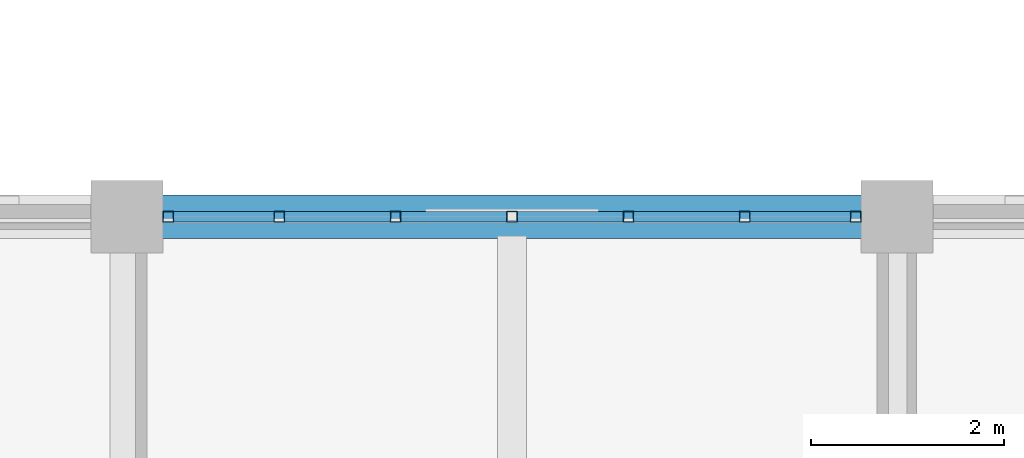
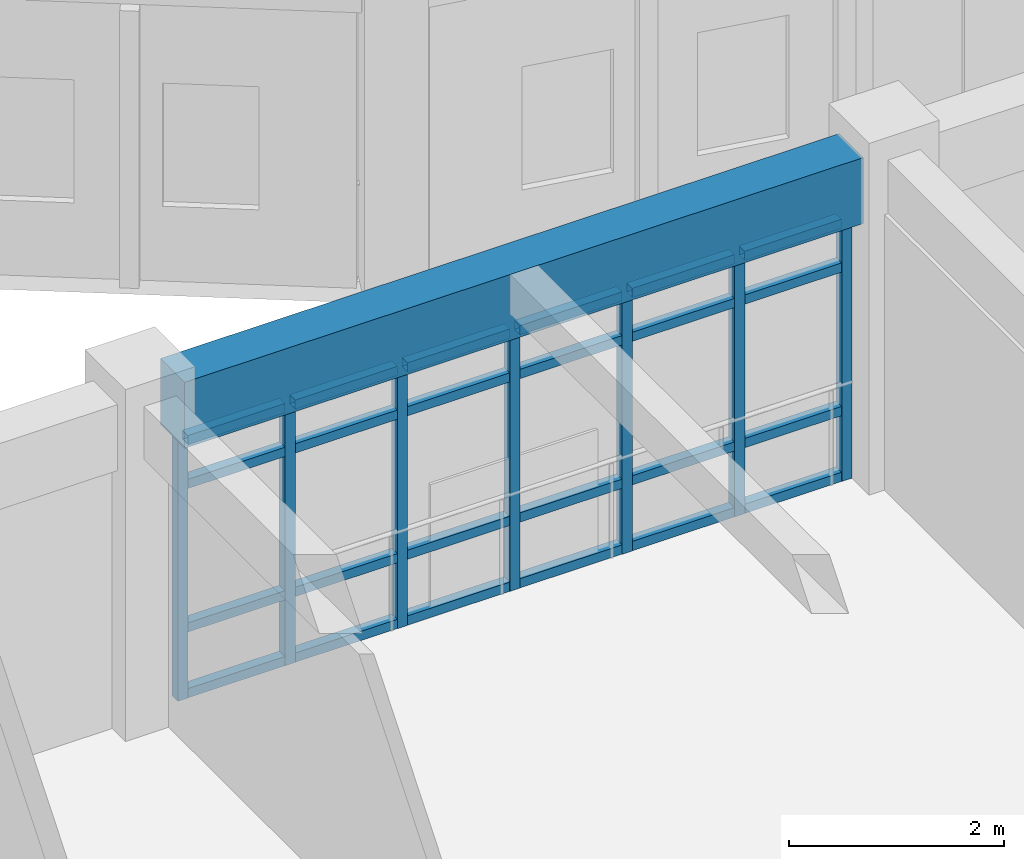
# One storey, part 49 of 159: 31 members, 1 beam, 1 element without a shape of its own.
"""IFC4 building model written with IfcOpenShell, lengths in metres."""

from ifc_helpers import new_model, si_unit, direction, frame, origin, origin_2d, place, context, subcontext, project, spatial, rectangle, hollow_rectangle, extrude, material, material_profile, profile_set, type_object, element, aggregate, save


model = new_model("IFC4")

# Units and contexts
model_context = context("Model", 3, precision=1e-05, world=origin(), true_north=direction((0.0, 1.0)))
body_context = subcontext(model_context, "Body", "Model", "MODEL_VIEW")
ifc_project = project(units=[si_unit("LENGTHUNIT", "METRE"), si_unit("AREAUNIT", "SQUARE_METRE"), si_unit("VOLUMEUNIT", "CUBIC_METRE"), si_unit("PLANEANGLEUNIT", "RADIAN"), si_unit("MASSUNIT", "GRAM", prefix="KILO")], contexts=[model_context])

# Site, building, storey
site_placement = place(None, origin())
site = spatial("IfcSite", under=ifc_project, at=site_placement, CompositionType="ELEMENT")
building_placement = place(site_placement, origin())
building = spatial("IfcBuilding", under=site, at=building_placement, Name="Celadon Cloister-Ring School", CompositionType="ELEMENT")
storey_placement = place(building_placement, frame((0.0, 0.0, 4.5)))
storey = spatial("IfcBuildingStorey", under=building, at=storey_placement, Name="L01", CompositionType="ELEMENT", Elevation=4.5)

# Curtain wall, members
ifc_material_1 = material(Name="Aluminium EN AW-6063 T6", Category="aluminium")
curtain_wall_type = type_object("IfcCurtainWallType", Name="CW-14", PredefinedType="USERDEFINED", material=ifc_material_1)
curtain_wall_placement = place(storey_placement, origin())
curtain_wall = element("IfcCurtainWall", 1, at=curtain_wall_placement, inside=storey, type_object=curtain_wall_type, Name="Curtain Wall 0195", ObjectType="CURTAIN WALL", PredefinedType="USERDEFINED")
ifc_material_2 = material(Name="Aluminium EN AW-6063 T6", Category="aluminium")
ifc_material_profile_1 = material_profile(ifc_material_2, hollow_rectangle(XDim=0.110107421875, YDim=0.110107421875, WallThickness=0.0048828125, at=origin_2d()), Name="RHS110X110X5")
ifc_profile_set_1 = profile_set([ifc_material_profile_1], Name="Aluminium EN AW-6063 T6")
member_type_1 = type_object("IfcMemberType", Name="CM-01", PredefinedType="MULLION", material=ifc_profile_set_1)
member_1_placement = place(storey_placement, frame((8.429931640625, 76.0, 0.0), z_axis=(0.0, 0.0, 1.0), x_axis=(0.0, 1.0, 0.0)))
member_1 = element("IfcMember", 2, at=member_1_placement, type_object=member_type_1, Name="CW-14 mullion 1", PredefinedType="MULLION", context=body_context, shape_type="SweptSolid", body=[
    extrude(hollow_rectangle(XDim=0.110107421875, YDim=0.110107421875, WallThickness=0.0048828125, at=origin_2d()), origin(), (0.0, 0.0, 1.0), 2.98193359375),
])
member_2_placement = place(storey_placement, frame((9.583251953125, 76.0, 0.0), z_axis=(0.0, 0.0, 1.0), x_axis=(0.0, 1.0, 0.0)))
member_2 = element("IfcMember", 3, at=member_2_placement, type_object=member_type_1, Name="CW-14 mullion 2", PredefinedType="MULLION", context=body_context, shape_type="SweptSolid", body=[
    extrude(hollow_rectangle(XDim=0.110107421875, YDim=0.110107421875, WallThickness=0.0048828125, at=origin_2d()), origin(), (0.0, 0.0, 1.0), 2.98193359375),
])
member_3_placement = place(storey_placement, frame((10.791748046875, 76.0, 0.0), z_axis=(0.0, 0.0, 1.0), x_axis=(0.0, 1.0, 0.0)))
member_3 = element("IfcMember", 4, at=member_3_placement, type_object=member_type_1, Name="CW-14 mullion 3", PredefinedType="MULLION", context=body_context, shape_type="SweptSolid", body=[
    extrude(hollow_rectangle(XDim=0.110107421875, YDim=0.110107421875, WallThickness=0.0048828125, at=origin_2d()), origin(), (0.0, 0.0, 1.0), 2.98193359375),
])
member_4_placement = place(storey_placement, frame((12.0, 76.0, 0.0), z_axis=(0.0, 0.0, 1.0), x_axis=(0.0, 1.0, 0.0)))
member_4 = element("IfcMember", 5, at=member_4_placement, type_object=member_type_1, Name="CW-14 mullion 4", PredefinedType="MULLION", context=body_context, shape_type="SweptSolid", body=[
    extrude(hollow_rectangle(XDim=0.110107421875, YDim=0.110107421875, WallThickness=0.0048828125, at=origin_2d()), origin(), (0.0, 0.0, 1.0), 2.98193359375),
])
member_5_placement = place(storey_placement, frame((13.208251953125, 76.0, 0.0), z_axis=(0.0, 0.0, 1.0), x_axis=(0.0, 1.0, 0.0)))
member_5 = element("IfcMember", 6, at=member_5_placement, type_object=member_type_1, Name="CW-14 mullion 5", PredefinedType="MULLION", context=body_context, shape_type="SweptSolid", body=[
    extrude(hollow_rectangle(XDim=0.110107421875, YDim=0.110107421875, WallThickness=0.0048828125, at=origin_2d()), origin(), (0.0, 0.0, 1.0), 2.98193359375),
])
member_6_placement = place(storey_placement, frame((14.416748046875, 76.0, 0.0), z_axis=(0.0, 0.0, 1.0), x_axis=(0.0, 1.0, 0.0)))
member_6 = element("IfcMember", 7, at=member_6_placement, type_object=member_type_1, Name="CW-14 mullion 6", PredefinedType="MULLION", context=body_context, shape_type="SweptSolid", body=[
    extrude(hollow_rectangle(XDim=0.110107421875, YDim=0.110107421875, WallThickness=0.0048828125, at=origin_2d()), origin(), (0.0, 0.0, 1.0), 2.98193359375),
])
member_7_placement = place(storey_placement, frame((15.570068359375, 76.0, 0.0), z_axis=(0.0, 0.0, 1.0), x_axis=(0.0, 1.0, 0.0)))
member_7 = element("IfcMember", 8, at=member_7_placement, type_object=member_type_1, Name="CW-14 mullion 7", PredefinedType="MULLION", context=body_context, shape_type="SweptSolid", body=[
    extrude(hollow_rectangle(XDim=0.110107421875, YDim=0.110107421875, WallThickness=0.0048828125, at=origin_2d()), origin(), (0.0, 0.0, 1.0), 2.98193359375),
])
ifc_material_3 = material(Name="Aluminium EN AW-6063 T6", Category="aluminium")
ifc_material_profile_2 = material_profile(ifc_material_3, hollow_rectangle(XDim=0.10498046875, YDim=0.10498046875, WallThickness=0.0048828125, at=origin_2d()), Name="RHS105X105X5")
ifc_profile_set_2 = profile_set([ifc_material_profile_2], Name="Aluminium EN AW-6063 T6")
member_type_2 = type_object("IfcMemberType", Name="CTM-01", PredefinedType="USERDEFINED", material=ifc_profile_set_2)
member_8_placement = place(storey_placement, frame((8.485107421875, 76.0, 0.052490234375), z_axis=(1.0, 0.0, 0.0), x_axis=(0.0, 1.0, 0.0)))
member_8 = element("IfcMember", 9, at=member_8_placement, type_object=member_type_2, Name="CW-14 transom 1.1", ObjectType="TRANSOM", PredefinedType="USERDEFINED", context=body_context, shape_type="SweptSolid", body=[
    extrude(hollow_rectangle(XDim=0.10498046875, YDim=0.10498046875, WallThickness=0.0048828125, at=origin_2d()), origin(), (0.0, 0.0, 1.0), 1.043212890625),
])
member_9_placement = place(storey_placement, frame((8.485107421875, 76.0, 0.800048828125), z_axis=(1.0, 0.0, 0.0), x_axis=(0.0, 1.0, 0.0)))
member_9 = element("IfcMember", 10, at=member_9_placement, type_object=member_type_2, Name="CW-14 transom 1.2", ObjectType="TRANSOM", PredefinedType="USERDEFINED", context=body_context, shape_type="SweptSolid", body=[
    extrude(hollow_rectangle(XDim=0.10498046875, YDim=0.10498046875, WallThickness=0.0048828125, at=origin_2d()), origin(), (0.0, 0.0, 1.0), 1.043212890625),
])
member_10_placement = place(storey_placement, frame((8.485107421875, 76.0, 2.431884765625), z_axis=(1.0, 0.0, 0.0), x_axis=(0.0, 1.0, 0.0)))
member_10 = element("IfcMember", 11, at=member_10_placement, type_object=member_type_2, Name="CW-14 transom 1.3", ObjectType="TRANSOM", PredefinedType="USERDEFINED", context=body_context, shape_type="SweptSolid", body=[
    extrude(hollow_rectangle(XDim=0.10498046875, YDim=0.10498046875, WallThickness=0.0048828125, at=origin_2d()), origin(), (0.0, 0.0, 1.0), 1.043212890625),
])
member_11_placement = place(storey_placement, frame((8.485107421875, 76.0, 2.929443359375), z_axis=(1.0, 0.0, 0.0), x_axis=(0.0, 1.0, 0.0)))
member_11 = element("IfcMember", 12, at=member_11_placement, type_object=member_type_2, Name="CW-14 transom 1.4", ObjectType="TRANSOM", PredefinedType="USERDEFINED", context=body_context, shape_type="SweptSolid", body=[
    extrude(hollow_rectangle(XDim=0.10498046875, YDim=0.10498046875, WallThickness=0.0048828125, at=origin_2d()), origin(), (0.0, 0.0, 1.0), 1.043212890625),
])
member_12_placement = place(storey_placement, frame((9.638427734375, 76.0, 0.052490234375), z_axis=(1.0, 0.0, 0.0), x_axis=(0.0, 1.0, 0.0)))
member_12 = element("IfcMember", 13, at=member_12_placement, type_object=member_type_2, Name="CW-14 transom 2.1", ObjectType="TRANSOM", PredefinedType="USERDEFINED", context=body_context, shape_type="SweptSolid", body=[
    extrude(hollow_rectangle(XDim=0.10498046875, YDim=0.10498046875, WallThickness=0.0048828125, at=origin_2d()), origin(), (0.0, 0.0, 1.0), 1.09814453125),
])
member_13_placement = place(storey_placement, frame((9.638427734375, 76.0, 0.800048828125), z_axis=(1.0, 0.0, 0.0), x_axis=(0.0, 1.0, 0.0)))
member_13 = element("IfcMember", 14, at=member_13_placement, type_object=member_type_2, Name="CW-14 transom 2.2", ObjectType="TRANSOM", PredefinedType="USERDEFINED", context=body_context, shape_type="SweptSolid", body=[
    extrude(hollow_rectangle(XDim=0.10498046875, YDim=0.10498046875, WallThickness=0.0048828125, at=origin_2d()), origin(), (0.0, 0.0, 1.0), 1.09814453125),
])
member_14_placement = place(storey_placement, frame((9.638427734375, 76.0, 2.431884765625), z_axis=(1.0, 0.0, 0.0), x_axis=(0.0, 1.0, 0.0)))
member_14 = element("IfcMember", 15, at=member_14_placement, type_object=member_type_2, Name="CW-14 transom 2.3", ObjectType="TRANSOM", PredefinedType="USERDEFINED", context=body_context, shape_type="SweptSolid", body=[
    extrude(hollow_rectangle(XDim=0.10498046875, YDim=0.10498046875, WallThickness=0.0048828125, at=origin_2d()), origin(), (0.0, 0.0, 1.0), 1.09814453125),
])
member_15_placement = place(storey_placement, frame((9.638427734375, 76.0, 2.929443359375), z_axis=(1.0, 0.0, 0.0), x_axis=(0.0, 1.0, 0.0)))
member_15 = element("IfcMember", 16, at=member_15_placement, type_object=member_type_2, Name="CW-14 transom 2.4", ObjectType="TRANSOM", PredefinedType="USERDEFINED", context=body_context, shape_type="SweptSolid", body=[
    extrude(hollow_rectangle(XDim=0.10498046875, YDim=0.10498046875, WallThickness=0.0048828125, at=origin_2d()), origin(), (0.0, 0.0, 1.0), 1.09814453125),
])
member_16_placement = place(storey_placement, frame((10.8466796875, 76.0, 0.052490234375), z_axis=(1.0, 0.0, 0.0), x_axis=(0.0, 1.0, 0.0)))
member_16 = element("IfcMember", 17, at=member_16_placement, type_object=member_type_2, Name="CW-14 transom 3.1", ObjectType="TRANSOM", PredefinedType="USERDEFINED", context=body_context, shape_type="SweptSolid", body=[
    extrude(hollow_rectangle(XDim=0.10498046875, YDim=0.10498046875, WallThickness=0.0048828125, at=origin_2d()), origin(), (0.0, 0.0, 1.0), 1.098388671875),
])
member_17_placement = place(storey_placement, frame((10.8466796875, 76.0, 0.800048828125), z_axis=(1.0, 0.0, 0.0), x_axis=(0.0, 1.0, 0.0)))
member_17 = element("IfcMember", 18, at=member_17_placement, type_object=member_type_2, Name="CW-14 transom 3.2", ObjectType="TRANSOM", PredefinedType="USERDEFINED", context=body_context, shape_type="SweptSolid", body=[
    extrude(hollow_rectangle(XDim=0.10498046875, YDim=0.10498046875, WallThickness=0.0048828125, at=origin_2d()), origin(), (0.0, 0.0, 1.0), 1.098388671875),
])
member_18_placement = place(storey_placement, frame((10.8466796875, 76.0, 2.431884765625), z_axis=(1.0, 0.0, 0.0), x_axis=(0.0, 1.0, 0.0)))
member_18 = element("IfcMember", 19, at=member_18_placement, type_object=member_type_2, Name="CW-14 transom 3.3", ObjectType="TRANSOM", PredefinedType="USERDEFINED", context=body_context, shape_type="SweptSolid", body=[
    extrude(hollow_rectangle(XDim=0.10498046875, YDim=0.10498046875, WallThickness=0.0048828125, at=origin_2d()), origin(), (0.0, 0.0, 1.0), 1.098388671875),
])
member_19_placement = place(storey_placement, frame((10.8466796875, 76.0, 2.929443359375), z_axis=(1.0, 0.0, 0.0), x_axis=(0.0, 1.0, 0.0)))
member_19 = element("IfcMember", 20, at=member_19_placement, type_object=member_type_2, Name="CW-14 transom 3.4", ObjectType="TRANSOM", PredefinedType="USERDEFINED", context=body_context, shape_type="SweptSolid", body=[
    extrude(hollow_rectangle(XDim=0.10498046875, YDim=0.10498046875, WallThickness=0.0048828125, at=origin_2d()), origin(), (0.0, 0.0, 1.0), 1.098388671875),
])
member_20_placement = place(storey_placement, frame((12.054931640625, 76.0, 0.052490234375), z_axis=(1.0, 0.0, 0.0), x_axis=(0.0, 1.0, 0.0)))
member_20 = element("IfcMember", 21, at=member_20_placement, type_object=member_type_2, Name="CW-14 transom 4.1", ObjectType="TRANSOM", PredefinedType="USERDEFINED", context=body_context, shape_type="SweptSolid", body=[
    extrude(hollow_rectangle(XDim=0.10498046875, YDim=0.10498046875, WallThickness=0.0048828125, at=origin_2d()), origin(), (0.0, 0.0, 1.0), 1.098388671875),
])
member_21_placement = place(storey_placement, frame((12.054931640625, 76.0, 0.800048828125), z_axis=(1.0, 0.0, 0.0), x_axis=(0.0, 1.0, 0.0)))
member_21 = element("IfcMember", 22, at=member_21_placement, type_object=member_type_2, Name="CW-14 transom 4.2", ObjectType="TRANSOM", PredefinedType="USERDEFINED", context=body_context, shape_type="SweptSolid", body=[
    extrude(hollow_rectangle(XDim=0.10498046875, YDim=0.10498046875, WallThickness=0.0048828125, at=origin_2d()), origin(), (0.0, 0.0, 1.0), 1.098388671875),
])
member_22_placement = place(storey_placement, frame((12.054931640625, 76.0, 2.431884765625), z_axis=(1.0, 0.0, 0.0), x_axis=(0.0, 1.0, 0.0)))
member_22 = element("IfcMember", 23, at=member_22_placement, type_object=member_type_2, Name="CW-14 transom 4.3", ObjectType="TRANSOM", PredefinedType="USERDEFINED", context=body_context, shape_type="SweptSolid", body=[
    extrude(hollow_rectangle(XDim=0.10498046875, YDim=0.10498046875, WallThickness=0.0048828125, at=origin_2d()), origin(), (0.0, 0.0, 1.0), 1.098388671875),
])
member_23_placement = place(storey_placement, frame((12.054931640625, 76.0, 2.929443359375), z_axis=(1.0, 0.0, 0.0), x_axis=(0.0, 1.0, 0.0)))
member_23 = element("IfcMember", 24, at=member_23_placement, type_object=member_type_2, Name="CW-14 transom 4.4", ObjectType="TRANSOM", PredefinedType="USERDEFINED", context=body_context, shape_type="SweptSolid", body=[
    extrude(hollow_rectangle(XDim=0.10498046875, YDim=0.10498046875, WallThickness=0.0048828125, at=origin_2d()), origin(), (0.0, 0.0, 1.0), 1.098388671875),
])
member_24_placement = place(storey_placement, frame((13.263427734375, 76.0, 0.052490234375), z_axis=(1.0, 0.0, 0.0), x_axis=(0.0, 1.0, 0.0)))
member_24 = element("IfcMember", 25, at=member_24_placement, type_object=member_type_2, Name="CW-14 transom 5.1", ObjectType="TRANSOM", PredefinedType="USERDEFINED", context=body_context, shape_type="SweptSolid", body=[
    extrude(hollow_rectangle(XDim=0.10498046875, YDim=0.10498046875, WallThickness=0.0048828125, at=origin_2d()), origin(), (0.0, 0.0, 1.0), 1.09814453125),
])
member_25_placement = place(storey_placement, frame((13.263427734375, 76.0, 0.800048828125), z_axis=(1.0, 0.0, 0.0), x_axis=(0.0, 1.0, 0.0)))
member_25 = element("IfcMember", 26, at=member_25_placement, type_object=member_type_2, Name="CW-14 transom 5.2", ObjectType="TRANSOM", PredefinedType="USERDEFINED", context=body_context, shape_type="SweptSolid", body=[
    extrude(hollow_rectangle(XDim=0.10498046875, YDim=0.10498046875, WallThickness=0.0048828125, at=origin_2d()), origin(), (0.0, 0.0, 1.0), 1.09814453125),
])
member_26_placement = place(storey_placement, frame((13.263427734375, 76.0, 2.431884765625), z_axis=(1.0, 0.0, 0.0), x_axis=(0.0, 1.0, 0.0)))
member_26 = element("IfcMember", 27, at=member_26_placement, type_object=member_type_2, Name="CW-14 transom 5.3", ObjectType="TRANSOM", PredefinedType="USERDEFINED", context=body_context, shape_type="SweptSolid", body=[
    extrude(hollow_rectangle(XDim=0.10498046875, YDim=0.10498046875, WallThickness=0.0048828125, at=origin_2d()), origin(), (0.0, 0.0, 1.0), 1.09814453125),
])
member_27_placement = place(storey_placement, frame((13.263427734375, 76.0, 2.929443359375), z_axis=(1.0, 0.0, 0.0), x_axis=(0.0, 1.0, 0.0)))
member_27 = element("IfcMember", 28, at=member_27_placement, type_object=member_type_2, Name="CW-14 transom 5.4", ObjectType="TRANSOM", PredefinedType="USERDEFINED", context=body_context, shape_type="SweptSolid", body=[
    extrude(hollow_rectangle(XDim=0.10498046875, YDim=0.10498046875, WallThickness=0.0048828125, at=origin_2d()), origin(), (0.0, 0.0, 1.0), 1.09814453125),
])
member_28_placement = place(storey_placement, frame((14.4716796875, 76.0, 0.052490234375), z_axis=(1.0, 0.0, 0.0), x_axis=(0.0, 1.0, 0.0)))
member_28 = element("IfcMember", 29, at=member_28_placement, type_object=member_type_2, Name="CW-14 transom 6.1", ObjectType="TRANSOM", PredefinedType="USERDEFINED", context=body_context, shape_type="SweptSolid", body=[
    extrude(hollow_rectangle(XDim=0.10498046875, YDim=0.10498046875, WallThickness=0.0048828125, at=origin_2d()), origin(), (0.0, 0.0, 1.0), 1.043212890625),
])
member_29_placement = place(storey_placement, frame((14.4716796875, 76.0, 0.800048828125), z_axis=(1.0, 0.0, 0.0), x_axis=(0.0, 1.0, 0.0)))
member_29 = element("IfcMember", 30, at=member_29_placement, type_object=member_type_2, Name="CW-14 transom 6.2", ObjectType="TRANSOM", PredefinedType="USERDEFINED", context=body_context, shape_type="SweptSolid", body=[
    extrude(hollow_rectangle(XDim=0.10498046875, YDim=0.10498046875, WallThickness=0.0048828125, at=origin_2d()), origin(), (0.0, 0.0, 1.0), 1.043212890625),
])
member_30_placement = place(storey_placement, frame((14.4716796875, 76.0, 2.431884765625), z_axis=(1.0, 0.0, 0.0), x_axis=(0.0, 1.0, 0.0)))
member_30 = element("IfcMember", 31, at=member_30_placement, type_object=member_type_2, Name="CW-14 transom 6.3", ObjectType="TRANSOM", PredefinedType="USERDEFINED", context=body_context, shape_type="SweptSolid", body=[
    extrude(hollow_rectangle(XDim=0.10498046875, YDim=0.10498046875, WallThickness=0.0048828125, at=origin_2d()), origin(), (0.0, 0.0, 1.0), 1.043212890625),
])
member_31_placement = place(storey_placement, frame((14.4716796875, 76.0, 2.929443359375), z_axis=(1.0, 0.0, 0.0), x_axis=(0.0, 1.0, 0.0)))
member_31 = element("IfcMember", 32, at=member_31_placement, type_object=member_type_2, Name="CW-14 transom 6.4", ObjectType="TRANSOM", PredefinedType="USERDEFINED", context=body_context, shape_type="SweptSolid", body=[
    extrude(hollow_rectangle(XDim=0.10498046875, YDim=0.10498046875, WallThickness=0.0048828125, at=origin_2d()), origin(), (0.0, 0.0, 1.0), 1.043212890625),
])
aggregate(curtain_wall, [member_1, member_2, member_3, member_4, member_5, member_6, member_7, member_8, member_9, member_10, member_11, member_12, member_13, member_14, member_15, member_16, member_17, member_18, member_19, member_20, member_21, member_22, member_23, member_24, member_25, member_26, member_27, member_28, member_29, member_30, member_31])

# Beam
ifc_material_4 = material(Name="Concrete C35/45", Category="concrete")
ifc_material_profile_3 = material_profile(ifc_material_4, rectangle(XDim=0.449951171875, YDim=0.75, at=origin_2d()), Name="RC450X750")
ifc_profile_set_3 = profile_set([ifc_material_profile_3], Name="Concrete C35/45")
beam_type = type_object("IfcBeamType", Name="GT-02", PredefinedType="USERDEFINED", material=ifc_profile_set_3)
beam_placement = place(storey_placement, frame((8.35009765625, 76.0, 3.364990234375), z_axis=(1.0, 0.0, 0.0), x_axis=(0.0, 1.0, 0.0)))
element("IfcBeam", 33, at=beam_placement, inside=storey, type_object=beam_type, Name="Beam 1532", ObjectType="GIRDER", PredefinedType="USERDEFINED", context=body_context, shape_type="SweptSolid", body=[
    extrude(rectangle(XDim=0.449951171875, YDim=0.75, at=origin_2d()), origin(), (0.0, 0.0, 1.0), 7.2998046875),
])

save(model, "model.ifc")
